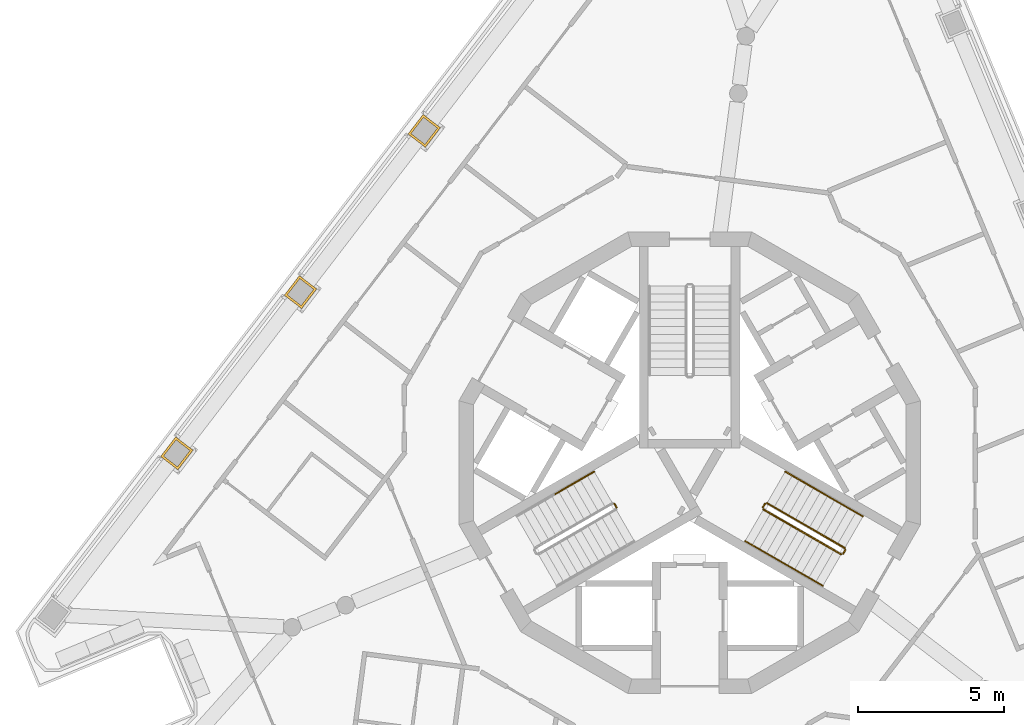
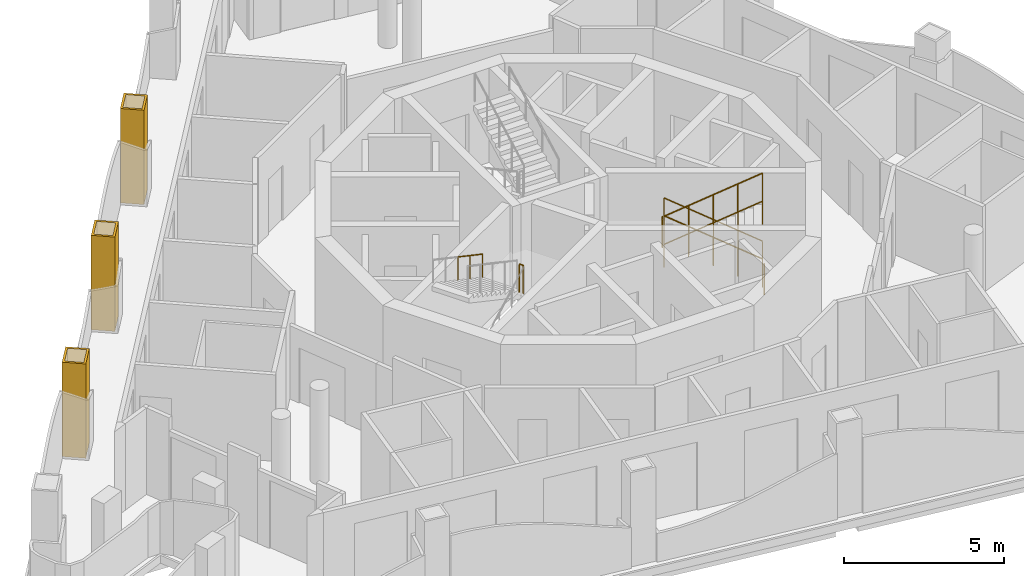
# One storey, part 8 of 12: 10 railings, 3 coverings.
"""IFC4 building model written with IfcOpenShell, lengths in metres."""

from ifc_helpers import new_model, si_unit, direction, frame, origin, origin_2d, place, context, subcontext, project, spatial, polyline, circle, outline, extrude, material, layer, layer_set, type_object, element, save


model = new_model("IFC4")

# Units and contexts
model_context = context("Model", 3, precision=1e-05, world=origin(), true_north=direction((0.0, 1.0)))
body_context = subcontext(model_context, "Body", "Model", "MODEL_VIEW")
ifc_project = project(units=[si_unit("LENGTHUNIT", "METRE"), si_unit("AREAUNIT", "SQUARE_METRE"), si_unit("VOLUMEUNIT", "CUBIC_METRE"), si_unit("PLANEANGLEUNIT", "RADIAN"), si_unit("MASSUNIT", "GRAM", prefix="KILO")], contexts=[model_context])

# Site, building, storey
site_placement = place(None, origin())
site = spatial("IfcSite", under=ifc_project, at=site_placement, CompositionType="ELEMENT")
building_placement = place(site_placement, origin())
building = spatial("IfcBuilding", under=site, at=building_placement, Name="Trine Commons Tower", CompositionType="ELEMENT")
storey_placement = place(building_placement, frame((0.0, 0.0, 279.0)))
storey = spatial("IfcBuildingStorey", under=building, at=storey_placement, Name="L73", CompositionType="ELEMENT", Elevation=279.0)

# Coverings
ifc_material_1 = material(Name="Limestone, honed", Category="masonry")
ifc_layer = layer(ifc_material_1, 0.074951171875)
ifc_layer_set = layer_set([ifc_layer], Name="Limestone, honed")
covering_type = type_object("IfcCoveringType", Name="Limestone column cladding 75", PredefinedType="CLADDING", material=ifc_layer_set)
covering_1_placement = place(storey_placement, origin())
element("IfcCovering", 1, at=covering_1_placement, inside=storey, type_object=covering_type, Name="Limestone pier cladding 8-08", PredefinedType="CLADDING", context=body_context, shape_type="SweptSolid", body=[
    extrude(outline(polyline([(62.95751953125, 62.929443359375), (62.362548828125, 63.385986328125), (61.84521484375, 62.711669921875), (62.440185546875, 62.2548828125), (62.95751953125, 62.929443359375)]), holes=[polyline([(62.8525390625, 62.91552734375), (62.37646484375, 63.28076171875), (61.9501953125, 62.7255859375), (62.42626953125, 62.360107421875), (62.8525390625, 62.91552734375)])]), origin(), (0.0, 0.0, 1.0), 3.60009765625),
])
covering_2_placement = place(storey_placement, origin())
element("IfcCovering", 2, at=covering_2_placement, inside=storey, type_object=covering_type, Name="Limestone pier cladding 8-09", PredefinedType="CLADDING", context=body_context, shape_type="SweptSolid", body=[
    extrude(outline(polyline([(67.202392578125, 68.461181640625), (66.607421875, 68.91796875), (66.08984375, 68.243408203125), (66.684814453125, 67.786865234375), (67.202392578125, 68.461181640625)]), holes=[polyline([(67.09716796875, 68.447509765625), (66.62109375, 68.812744140625), (66.195068359375, 68.25732421875), (66.6708984375, 67.89208984375), (67.09716796875, 68.447509765625)])]), origin(), (0.0, 0.0, 1.0), 3.60009765625),
])
covering_3_placement = place(storey_placement, origin())
element("IfcCovering", 3, at=covering_3_placement, inside=storey, type_object=covering_type, Name="Limestone pier cladding 8-10", PredefinedType="CLADDING", context=body_context, shape_type="SweptSolid", body=[
    extrude(outline(polyline([(71.447021484375, 73.9931640625), (70.85205078125, 74.44970703125), (70.334716796875, 73.775390625), (70.9296875, 73.318603515625), (71.447021484375, 73.9931640625)]), holes=[polyline([(71.341796875, 73.979248046875), (70.865966796875, 74.344482421875), (70.439697265625, 73.789306640625), (70.915771484375, 73.423828125), (71.341796875, 73.979248046875)])]), origin(), (0.0, 0.0, 1.0), 3.60009765625),
])

# Railings
ifc_material_2 = material(Name="Stainless steel balustrade", Category="steel")
railing_type_1 = type_object("IfcRailingType", Name="Stair guard, steel balustrade 1100", PredefinedType="GUARDRAIL", material=ifc_material_2)
railing_1_placement = place(storey_placement, frame((77.490966796875, 60.96484375, 1.800048828125)))
element("IfcRailing", 4, at=railing_1_placement, inside=storey, type_object=railing_type_1, Name="L73 ST2D stair guard 2", PredefinedType="GUARDRAIL", context=body_context, shape_type="SweptSolid", body=[
    extrude(circle(Radius=0.02392578125, at=origin_2d()), frame((0.0, 0.0, 1.076171875), z_axis=(-0.501036270542, 0.865426285481, 0.0), x_axis=(-0.865426285481, -0.501036270542, 0.0)), (0.0, 0.0, 1.0), 0.150146484375),
    extrude(circle(Radius=0.02099609375, at=origin_2d()), origin(), (0.0, 0.0, 1.0), 1.052001953125),
    extrude(circle(Radius=0.02099609375, at=origin_2d()), frame((-0.0751953125, 0.1298828125, 0.0)), (0.0, 0.0, 1.0), 1.052001953125),
])
railing_2_placement = place(storey_placement, frame((85.31982421875, 59.572998046875, 0.14990234375)))
element("IfcRailing", 5, at=railing_2_placement, inside=storey, type_object=railing_type_1, Name="L73 ST3D stair guard 1", PredefinedType="GUARDRAIL", context=body_context, shape_type="SweptSolid", body=[
    extrude(circle(Radius=0.02392578125, at=origin_2d()), frame((0.0, 0.0, 1.076171875), z_axis=(-0.763379768245, 0.440728498818, 0.472239049384), x_axis=(-0.499992328818, -0.866029832698, 0.0)), (0.0, 0.0, 1.0), 3.494384765625),
    extrude(circle(Radius=0.02099609375, at=origin_2d()), origin(), (0.0, 0.0, 1.0), 1.052001953125),
    extrude(circle(Radius=0.02099609375, at=origin_2d()), frame((-0.6669921875, 0.385009765625, 0.41259765625)), (0.0, 0.0, 1.0), 1.052001953125),
    extrude(circle(Radius=0.02099609375, at=origin_2d()), frame((-1.333740234375, 0.77001953125, 0.8251953125)), (0.0, 0.0, 1.0), 1.052001953125),
    extrude(circle(Radius=0.02099609375, at=origin_2d()), frame((-2.00048828125, 1.155029296875, 1.237548828125)), (0.0, 0.0, 1.0), 1.052001953125),
    extrude(circle(Radius=0.02099609375, at=origin_2d()), frame((-2.66748046875, 1.5400390625, 1.650146484375)), (0.0, 0.0, 1.0), 1.052001953125),
])
railing_3_placement = place(storey_placement, frame((82.584228515625, 61.0947265625, 1.800048828125)))
element("IfcRailing", 6, at=railing_3_placement, inside=storey, type_object=railing_type_1, Name="L73 ST3D stair guard 2", PredefinedType="GUARDRAIL", context=body_context, shape_type="SweptSolid", body=[
    extrude(circle(Radius=0.02392578125, at=origin_2d()), frame((0.0, 0.0, 1.076171875), z_axis=(-0.501036270542, -0.865426285481, 0.0), x_axis=(0.865426285481, -0.501036270542, 0.0)), (0.0, 0.0, 1.0), 0.150146484375),
    extrude(circle(Radius=0.02099609375, at=origin_2d()), origin(), (0.0, 0.0, 1.0), 1.052001953125),
    extrude(circle(Radius=0.02099609375, at=origin_2d()), frame((-0.0751953125, -0.1298828125, 0.0)), (0.0, 0.0, 1.0), 1.052001953125),
])
railing_4_placement = place(storey_placement, frame((82.52734375, 60.896484375, 1.949951171875)))
element("IfcRailing", 7, at=railing_4_placement, inside=storey, type_object=railing_type_1, Name="L73 ST3D stair guard 3", PredefinedType="GUARDRAIL", context=body_context, shape_type="SweptSolid", body=[
    extrude(circle(Radius=0.02392578125, at=origin_2d()), frame((0.0, 0.0, 1.076171875), z_axis=(0.763379768245, -0.440728498818, 0.472239049384), x_axis=(0.499992328818, 0.866029832698, 0.0)), (0.0, 0.0, 1.0), 3.494384765625),
    extrude(circle(Radius=0.02099609375, at=origin_2d()), origin(), (0.0, 0.0, 1.0), 1.052001953125),
    extrude(circle(Radius=0.02099609375, at=origin_2d()), frame((0.6669921875, -0.385009765625, 0.41259765625)), (0.0, 0.0, 1.0), 1.052001953125),
    extrude(circle(Radius=0.02099609375, at=origin_2d()), frame((1.333740234375, -0.77001953125, 0.8251953125)), (0.0, 0.0, 1.0), 1.052001953125),
    extrude(circle(Radius=0.02099609375, at=origin_2d()), frame((2.00048828125, -1.155029296875, 1.237548828125)), (0.0, 0.0, 1.0), 1.052001953125),
    extrude(circle(Radius=0.02099609375, at=origin_2d()), frame((2.66748046875, -1.5400390625, 1.650146484375)), (0.0, 0.0, 1.0), 1.052001953125),
])
railing_5_placement = place(storey_placement, frame((85.338134765625, 59.504638671875, 0.0)))
element("IfcRailing", 8, at=railing_5_placement, inside=storey, type_object=railing_type_1, Name="L73 ST3D stair guard 4", PredefinedType="GUARDRAIL", context=body_context, shape_type="SweptSolid", body=[
    extrude(circle(Radius=0.02392578125, at=origin_2d()), frame((0.0, 0.0, 1.076171875), z_axis=(-0.499816412211, -0.866131372301, 0.0), x_axis=(0.866131372301, -0.499816412211, 0.0)), (0.0, 0.0, 1.0), 0.14990234375),
    extrude(circle(Radius=0.02099609375, at=origin_2d()), origin(), (0.0, 0.0, 1.0), 1.052001953125),
    extrude(circle(Radius=0.02099609375, at=origin_2d()), frame((-0.074951171875, -0.1298828125, 0.0)), (0.0, 0.0, 1.0), 1.052001953125),
])
ifc_material_3 = material(Name="Stainless steel handrail", Category="steel")
railing_type_2 = type_object("IfcRailingType", Name="Stair handrail, steel 900", PredefinedType="HANDRAIL", material=ifc_material_3)
railing_6_placement = place(storey_placement, frame((76.72265625, 62.195556640625, 1.949951171875)))
element("IfcRailing", 9, at=railing_6_placement, inside=storey, type_object=railing_type_2, Name="L73 ST2D stair handrail 3", PredefinedType="HANDRAIL", context=body_context, shape_type="SweptSolid", body=[
    extrude(circle(Radius=0.02099609375, at=origin_2d()), frame((0.0, 0.0, 0.87890625), z_axis=(-0.76340495495, -0.440743040072, 0.472184759798), x_axis=(0.499992328818, -0.866029832698, 0.0)), (0.0, 0.0, 1.0), 1.7470703125),
    extrude(circle(Radius=0.01513671875, at=origin_2d()), origin(), (0.0, 0.0, 1.0), 0.85791015625),
    extrude(circle(Radius=0.01513671875, at=origin_2d()), frame((-0.6669921875, -0.385009765625, 0.41259765625)), (0.0, 0.0, 1.0), 0.85791015625),
    extrude(circle(Radius=0.01513671875, at=origin_2d()), frame((-1.333740234375, -0.77001953125, 0.824951171875)), (0.0, 0.0, 1.0), 0.85791015625),
])
railing_7_placement = place(storey_placement, frame((85.94482421875, 60.655517578125, 0.14990234375)))
element("IfcRailing", 10, at=railing_7_placement, inside=storey, type_object=railing_type_2, Name="L73 ST3D stair handrail 1", PredefinedType="HANDRAIL", context=body_context, shape_type="SweptSolid", body=[
    extrude(circle(Radius=0.02099609375, at=origin_2d()), frame((0.0, 0.0, 0.87890625), z_axis=(-0.763354580307, 0.440713956853, 0.472293333596), x_axis=(-0.499992328818, -0.866029832698, 0.0)), (0.0, 0.0, 1.0), 1.747314453125),
    extrude(circle(Radius=0.01513671875, at=origin_2d()), origin(), (0.0, 0.0, 1.0), 0.85791015625),
    extrude(circle(Radius=0.01513671875, at=origin_2d()), frame((-0.6669921875, 0.385009765625, 0.41259765625)), (0.0, 0.0, 1.0), 0.85791015625),
    extrude(circle(Radius=0.01513671875, at=origin_2d()), frame((-1.333740234375, 0.77001953125, 0.8251953125)), (0.0, 0.0, 1.0), 0.85791015625),
])
railing_8_placement = place(storey_placement, frame((84.611083984375, 61.425537109375, 0.97509765625)))
element("IfcRailing", 11, at=railing_8_placement, inside=storey, type_object=railing_type_2, Name="L73 ST3D stair handrail 2", PredefinedType="HANDRAIL", context=body_context, shape_type="SweptSolid", body=[
    extrude(circle(Radius=0.02099609375, at=origin_2d()), frame((0.0, 0.0, 0.87890625), z_axis=(-0.76340495495, 0.440743040072, 0.472184759798), x_axis=(-0.499992328818, -0.866029832698, 0.0)), (0.0, 0.0, 1.0), 1.7470703125),
    extrude(circle(Radius=0.01513671875, at=origin_2d()), origin(), (0.0, 0.0, 1.0), 0.85791015625),
    extrude(circle(Radius=0.01513671875, at=origin_2d()), frame((-0.6669921875, 0.385009765625, 0.41259765625)), (0.0, 0.0, 1.0), 0.85791015625),
    extrude(circle(Radius=0.01513671875, at=origin_2d()), frame((-1.333740234375, 0.77001953125, 0.824951171875)), (0.0, 0.0, 1.0), 0.85791015625),
])
railing_9_placement = place(storey_placement, frame((81.90234375, 59.81396484375, 1.949951171875)))
element("IfcRailing", 12, at=railing_9_placement, inside=storey, type_object=railing_type_2, Name="L73 ST3D stair handrail 3", PredefinedType="HANDRAIL", context=body_context, shape_type="SweptSolid", body=[
    extrude(circle(Radius=0.02099609375, at=origin_2d()), frame((0.0, 0.0, 0.87890625), z_axis=(0.76340495495, -0.440743040072, 0.472184759798), x_axis=(0.499992328818, 0.866029832698, 0.0)), (0.0, 0.0, 1.0), 1.7470703125),
    extrude(circle(Radius=0.01513671875, at=origin_2d()), origin(), (0.0, 0.0, 1.0), 0.85791015625),
    extrude(circle(Radius=0.01513671875, at=origin_2d()), frame((0.6669921875, -0.385009765625, 0.41259765625)), (0.0, 0.0, 1.0), 0.85791015625),
    extrude(circle(Radius=0.01513671875, at=origin_2d()), frame((1.333740234375, -0.77001953125, 0.824951171875)), (0.0, 0.0, 1.0), 0.85791015625),
])
railing_10_placement = place(storey_placement, frame((83.236083984375, 59.0439453125, 2.77490234375)))
element("IfcRailing", 13, at=railing_10_placement, inside=storey, type_object=railing_type_2, Name="L73 ST3D stair handrail 4", PredefinedType="HANDRAIL", context=body_context, shape_type="SweptSolid", body=[
    extrude(circle(Radius=0.02099609375, at=origin_2d()), frame((0.0, 0.0, 0.87890625), z_axis=(0.763354580307, -0.440713956853, 0.472293333596), x_axis=(0.499992328818, 0.866029832698, 0.0)), (0.0, 0.0, 1.0), 1.747314453125),
    extrude(circle(Radius=0.01513671875, at=origin_2d()), origin(), (0.0, 0.0, 1.0), 0.85791015625),
    extrude(circle(Radius=0.01513671875, at=origin_2d()), frame((0.6669921875, -0.385009765625, 0.41259765625)), (0.0, 0.0, 1.0), 0.85791015625),
    extrude(circle(Radius=0.01513671875, at=origin_2d()), frame((1.333740234375, -0.77001953125, 0.8251953125)), (0.0, 0.0, 1.0), 0.85791015625),
])

save(model, "model.ifc")
